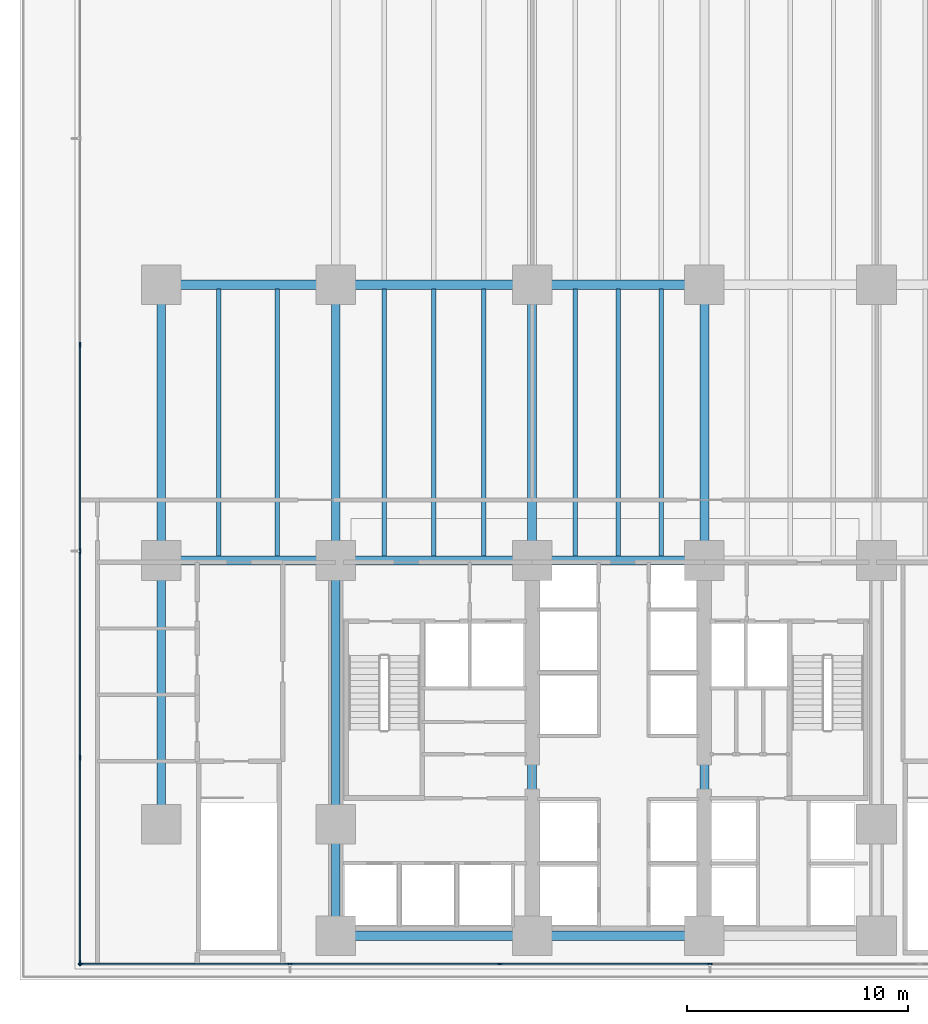
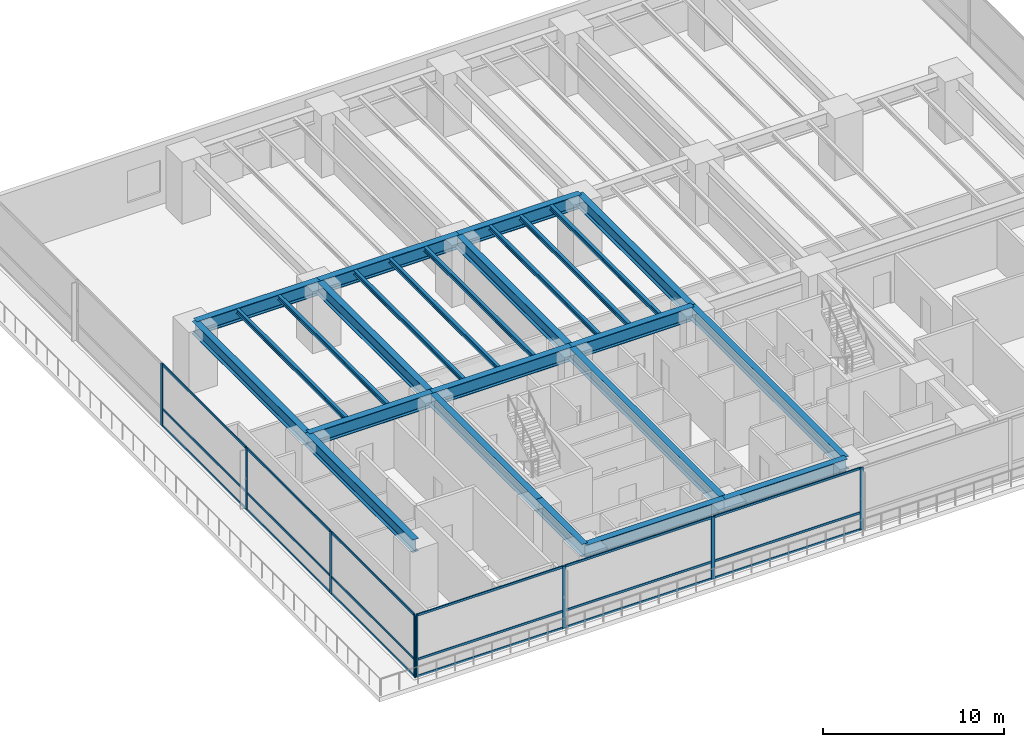
# One storey, part 2 of 21: 26 members, 25 beams, 2 elements without a shape of their own.
"""IFC4 building model written with IfcOpenShell, lengths in metres."""

from ifc_helpers import new_model, si_unit, direction, frame, origin, origin_2d, place, context, subcontext, project, spatial, rectangle, i_section, extrude, material, layer, layer_set, material_profile, profile_set, type_object, element, aggregate, save


model = new_model("IFC4")

# Units and contexts
model_context = context("Model", 3, precision=1e-05, world=origin(), true_north=direction((0.0, 1.0)))
body_context = subcontext(model_context, "Body", "Model", "MODEL_VIEW")
ifc_project = project(units=[si_unit("LENGTHUNIT", "METRE"), si_unit("AREAUNIT", "SQUARE_METRE"), si_unit("VOLUMEUNIT", "CUBIC_METRE"), si_unit("PLANEANGLEUNIT", "RADIAN"), si_unit("MASSUNIT", "GRAM", prefix="KILO")], contexts=[model_context])

# Site, building, storey
site_placement = place(None, origin())
site = spatial("IfcSite", under=ifc_project, at=site_placement, CompositionType="ELEMENT")
building_placement = place(site_placement, origin())
building = spatial("IfcBuilding", under=site, at=building_placement, Name="Qalmaran Belvedere Hotel", CompositionType="ELEMENT")
storey_placement = place(building_placement, frame((0.0, 0.0, 23.800048828125)))
storey = spatial("IfcBuildingStorey", under=building, at=storey_placement, Name="L05", CompositionType="ELEMENT", Elevation=23.800048828125)

# Beams
ifc_material_1 = material(Name="Steel S355JR", Category="steel")
ifc_material_profile_1 = material_profile(ifc_material_1, i_section(OverallWidth=0.202880859375, OverallDepth=0.302978515625, WebThickness=0.007568359375, FlangeThickness=0.01318359375, FilletRadius=0.012939453125, at=origin_2d()), Name="W310X60")
ifc_profile_set_1 = profile_set([ifc_material_profile_1], Name="Steel S355JR")
beam_type_1 = type_object("IfcBeamType", Name="BM-JST-W310X60", PredefinedType="JOIST", material=ifc_profile_set_1)
for number, where, z_axis, x_axis, name in (
    (1, (15.0, 20.7080078125, 4.04833984375), (0.0, 1.0, 0.0), (-1.0, 0.0, 0.0), "L05 Podium South-Ballroom Joist 041"),
    (2, (17.64990234375, 20.7080078125, 4.04833984375), (0.0, 1.0, 0.0), (-1.0, 0.0, 0.0), "L05 Podium South-Ballroom Joist 042"),
    (3, (22.5, 20.7080078125, 4.04833984375), (0.0, 1.0, 0.0), (-1.0, 0.0, 0.0), "L05 Podium South-Ballroom Joist 043"),
    (4, (24.75, 20.7080078125, 4.04833984375), (0.0, 1.0, 0.0), (-1.0, 0.0, 0.0), "L05 Podium South-Ballroom Joist 045"),
    (5, (27.0, 20.7080078125, 4.04833984375), (0.0, 1.0, 0.0), (-1.0, 0.0, 0.0), "L05 Podium South-Ballroom Joist 047"),
    (6, (31.14990234375, 20.7080078125, 4.04833984375), (0.0, 1.0, 0.0), (-1.0, 0.0, 0.0), "L05 Podium South-Ballroom Joist 049"),
    (7, (33.10009765625, 20.7080078125, 4.04833984375), (0.0, 1.0, 0.0), (-1.0, 0.0, 0.0), "L05 Podium South-Ballroom Joist 051"),
    (8, (35.050048828125, 20.7080078125, 4.04833984375), (0.0, 1.0, 0.0), (-1.0, 0.0, 0.0), "L05 Podium South-Ballroom Joist 053"),
):
    element("IfcBeam", number, at=place(storey_placement, frame(where, z_axis=z_axis, x_axis=x_axis)), inside=storey, type_object=beam_type_1, Name=name, PredefinedType="JOIST", context=body_context, shape_type="SweptSolid", body=[
        extrude(i_section(OverallWidth=0.202880859375, OverallDepth=0.302978515625, WebThickness=0.007568359375, FlangeThickness=0.01318359375, FilletRadius=0.012939453125, at=origin_2d()), origin(), (0.0, 0.0, 1.0), 12.083984375),
    ])
ifc_material_profile_2 = material_profile(ifc_material_1, i_section(OverallWidth=0.419921875, OverallDepth=0.9208984375, WebThickness=0.021240234375, FlangeThickness=0.03662109375, FilletRadius=0.02392578125, at=origin_2d()), Name="W920X387")
ifc_profile_set_2 = profile_set([ifc_material_profile_2], Name="Steel S355JR")
beam_type_2 = type_object("IfcBeamType", Name="BM-PG1-W920X387", PredefinedType="USERDEFINED", material=ifc_profile_set_2)
beam_1_placement = place(storey_placement, frame((20.300048828125, 3.5, 3.739501953125), z_axis=(1.0, 0.0, 0.0), x_axis=(0.0, 1.0, 0.0)))
element("IfcBeam", 9, at=beam_1_placement, inside=storey, type_object=beam_type_2, Name="L05 Podium Primary Girder GX01", ObjectType="GIRDER", PredefinedType="USERDEFINED", context=body_context, shape_type="SweptSolid", body=[
    extrude(i_section(OverallWidth=0.419921875, OverallDepth=0.9208984375, WebThickness=0.021240234375, FlangeThickness=0.03662109375, FilletRadius=0.02392578125, at=origin_2d()), origin(), (0.0, 0.0, 1.0), 8.89990234375),
])
beam_2_placement = place(storey_placement, frame((29.199951171875, 3.5, 3.739501953125), z_axis=(1.0, 0.0, 0.0), x_axis=(0.0, 1.0, 0.0)))
element("IfcBeam", 10, at=beam_2_placement, inside=storey, type_object=beam_type_2, Name="L05 Podium Primary Girder GX02", ObjectType="GIRDER", PredefinedType="USERDEFINED", context=body_context, shape_type="SweptSolid", body=[
    extrude(i_section(OverallWidth=0.419921875, OverallDepth=0.9208984375, WebThickness=0.021240234375, FlangeThickness=0.03662109375, FilletRadius=0.02392578125, at=origin_2d()), origin(), (0.0, 0.0, 1.0), 7.800048828125),
])
beam_3_placement = place(storey_placement, frame((12.39990234375, 20.5, 3.739501953125), z_axis=(1.0, 0.0, 0.0), x_axis=(0.0, 1.0, 0.0)))
element("IfcBeam", 11, at=beam_3_placement, inside=storey, type_object=beam_type_2, Name="L05 Podium Primary Girder GX07", ObjectType="GIRDER", PredefinedType="USERDEFINED", context=body_context, shape_type="SweptSolid", body=[
    extrude(i_section(OverallWidth=0.419921875, OverallDepth=0.9208984375, WebThickness=0.021240234375, FlangeThickness=0.03662109375, FilletRadius=0.02392578125, at=origin_2d()), origin(), (0.0, 0.0, 1.0), 7.900146484375),
])
beam_4_placement = place(storey_placement, frame((20.300048828125, 20.5, 3.739501953125), z_axis=(1.0, 0.0, 0.0), x_axis=(0.0, 1.0, 0.0)))
element("IfcBeam", 12, at=beam_4_placement, inside=storey, type_object=beam_type_2, Name="L05 Podium Primary Girder GX08", ObjectType="GIRDER", PredefinedType="USERDEFINED", context=body_context, shape_type="SweptSolid", body=[
    extrude(i_section(OverallWidth=0.419921875, OverallDepth=0.9208984375, WebThickness=0.021240234375, FlangeThickness=0.03662109375, FilletRadius=0.02392578125, at=origin_2d()), origin(), (0.0, 0.0, 1.0), 8.89990234375),
])
beam_5_placement = place(storey_placement, frame((29.199951171875, 20.5, 3.739501953125), z_axis=(1.0, 0.0, 0.0), x_axis=(0.0, 1.0, 0.0)))
element("IfcBeam", 13, at=beam_5_placement, inside=storey, type_object=beam_type_2, Name="L05 Podium Primary Girder GX09", ObjectType="GIRDER", PredefinedType="USERDEFINED", context=body_context, shape_type="SweptSolid", body=[
    extrude(i_section(OverallWidth=0.419921875, OverallDepth=0.9208984375, WebThickness=0.021240234375, FlangeThickness=0.03662109375, FilletRadius=0.02392578125, at=origin_2d()), origin(), (0.0, 0.0, 1.0), 7.800048828125),
])
beam_6_placement = place(storey_placement, frame((12.39990234375, 33.0, 3.739501953125), z_axis=(1.0, 0.0, 0.0), x_axis=(0.0, 1.0, 0.0)))
element("IfcBeam", 14, at=beam_6_placement, inside=storey, type_object=beam_type_2, Name="L05 Podium Primary Girder GX12", ObjectType="GIRDER", PredefinedType="USERDEFINED", context=body_context, shape_type="SweptSolid", body=[
    extrude(i_section(OverallWidth=0.419921875, OverallDepth=0.9208984375, WebThickness=0.021240234375, FlangeThickness=0.03662109375, FilletRadius=0.02392578125, at=origin_2d()), origin(), (0.0, 0.0, 1.0), 7.900146484375),
])
beam_7_placement = place(storey_placement, frame((20.300048828125, 33.0, 3.739501953125), z_axis=(1.0, 0.0, 0.0), x_axis=(0.0, 1.0, 0.0)))
element("IfcBeam", 15, at=beam_7_placement, inside=storey, type_object=beam_type_2, Name="L05 Podium Primary Girder GX13", ObjectType="GIRDER", PredefinedType="USERDEFINED", context=body_context, shape_type="SweptSolid", body=[
    extrude(i_section(OverallWidth=0.419921875, OverallDepth=0.9208984375, WebThickness=0.021240234375, FlangeThickness=0.03662109375, FilletRadius=0.02392578125, at=origin_2d()), origin(), (0.0, 0.0, 1.0), 8.89990234375),
])
beam_8_placement = place(storey_placement, frame((29.199951171875, 33.0, 3.739501953125), z_axis=(1.0, 0.0, 0.0), x_axis=(0.0, 1.0, 0.0)))
element("IfcBeam", 16, at=beam_8_placement, inside=storey, type_object=beam_type_2, Name="L05 Podium Primary Girder GX14", ObjectType="GIRDER", PredefinedType="USERDEFINED", context=body_context, shape_type="SweptSolid", body=[
    extrude(i_section(OverallWidth=0.419921875, OverallDepth=0.9208984375, WebThickness=0.021240234375, FlangeThickness=0.03662109375, FilletRadius=0.02392578125, at=origin_2d()), origin(), (0.0, 0.0, 1.0), 7.800048828125),
])
ifc_material_profile_3 = material_profile(ifc_material_1, i_section(OverallWidth=0.39990234375, OverallDepth=0.85498046875, WebThickness=0.018310546875, FlangeThickness=0.029296875, FilletRadius=0.02392578125, at=origin_2d()), Name="W840X299")
ifc_profile_set_3 = profile_set([ifc_material_profile_3], Name="Steel S355JR")
beam_type_3 = type_object("IfcBeamType", Name="BM-PG3-W840X299", PredefinedType="USERDEFINED", material=ifc_profile_set_3)
beam_9_placement = place(storey_placement, frame((12.39990234375, 8.550048828125, 3.7724609375), z_axis=(0.0, 1.0, 0.0), x_axis=(-1.0, 0.0, 0.0)))
element("IfcBeam", 17, at=beam_9_placement, inside=storey, type_object=beam_type_3, Name="L05 Podium Transverse Girder GY22", ObjectType="GIRDER", PredefinedType="USERDEFINED", context=body_context, shape_type="SweptSolid", body=[
    extrude(i_section(OverallWidth=0.39990234375, OverallDepth=0.85498046875, WebThickness=0.018310546875, FlangeThickness=0.029296875, FilletRadius=0.02392578125, at=origin_2d()), origin(), (0.0, 0.0, 1.0), 11.949951171875),
])
beam_10_placement = place(storey_placement, frame((12.39990234375, 20.5, 3.7724609375), z_axis=(0.0, 1.0, 0.0), x_axis=(-1.0, 0.0, 0.0)))
element("IfcBeam", 18, at=beam_10_placement, inside=storey, type_object=beam_type_3, Name="L05 Podium Transverse Girder GY23", ObjectType="GIRDER", PredefinedType="USERDEFINED", context=body_context, shape_type="SweptSolid", body=[
    extrude(i_section(OverallWidth=0.39990234375, OverallDepth=0.85498046875, WebThickness=0.018310546875, FlangeThickness=0.029296875, FilletRadius=0.02392578125, at=origin_2d()), origin(), (0.0, 0.0, 1.0), 12.5),
])
beam_11_placement = place(storey_placement, frame((20.300048828125, 3.5, 3.7724609375), z_axis=(0.0, 1.0, 0.0), x_axis=(-1.0, 0.0, 0.0)))
element("IfcBeam", 19, at=beam_11_placement, inside=storey, type_object=beam_type_3, Name="L05 Podium Transverse Girder GY24", ObjectType="GIRDER", PredefinedType="USERDEFINED", context=body_context, shape_type="SweptSolid", body=[
    extrude(i_section(OverallWidth=0.39990234375, OverallDepth=0.85498046875, WebThickness=0.018310546875, FlangeThickness=0.029296875, FilletRadius=0.02392578125, at=origin_2d()), origin(), (0.0, 0.0, 1.0), 5.050048828125),
])
beam_12_placement = place(storey_placement, frame((20.300048828125, 8.550048828125, 3.7724609375), z_axis=(0.0, 1.0, 0.0), x_axis=(-1.0, 0.0, 0.0)))
element("IfcBeam", 20, at=beam_12_placement, inside=storey, type_object=beam_type_3, Name="L05 Podium Transverse Girder GY25", ObjectType="GIRDER", PredefinedType="USERDEFINED", context=body_context, shape_type="SweptSolid", body=[
    extrude(i_section(OverallWidth=0.39990234375, OverallDepth=0.85498046875, WebThickness=0.018310546875, FlangeThickness=0.029296875, FilletRadius=0.02392578125, at=origin_2d()), origin(), (0.0, 0.0, 1.0), 11.949951171875),
])
beam_13_placement = place(storey_placement, frame((20.300048828125, 20.5, 3.7724609375), z_axis=(0.0, 1.0, 0.0), x_axis=(-1.0, 0.0, 0.0)))
element("IfcBeam", 21, at=beam_13_placement, inside=storey, type_object=beam_type_3, Name="L05 Podium Transverse Girder GY26", ObjectType="GIRDER", PredefinedType="USERDEFINED", context=body_context, shape_type="SweptSolid", body=[
    extrude(i_section(OverallWidth=0.39990234375, OverallDepth=0.85498046875, WebThickness=0.018310546875, FlangeThickness=0.029296875, FilletRadius=0.02392578125, at=origin_2d()), origin(), (0.0, 0.0, 1.0), 12.5),
])
beam_14_placement = place(storey_placement, frame((29.199951171875, 3.5, 3.7724609375), z_axis=(0.0, 1.0, 0.0), x_axis=(-1.0, 0.0, 0.0)))
element("IfcBeam", 22, at=beam_14_placement, inside=storey, type_object=beam_type_3, Name="L05 Podium Transverse Girder GY28", ObjectType="GIRDER", PredefinedType="USERDEFINED", context=body_context, shape_type="SweptSolid", body=[
    extrude(i_section(OverallWidth=0.39990234375, OverallDepth=0.85498046875, WebThickness=0.018310546875, FlangeThickness=0.029296875, FilletRadius=0.02392578125, at=origin_2d()), origin(), (0.0, 0.0, 1.0), 17.0),
])
beam_15_placement = place(storey_placement, frame((29.199951171875, 20.5, 3.7724609375), z_axis=(0.0, 1.0, 0.0), x_axis=(-1.0, 0.0, 0.0)))
element("IfcBeam", 23, at=beam_15_placement, inside=storey, type_object=beam_type_3, Name="L05 Podium Transverse Girder GY29", ObjectType="GIRDER", PredefinedType="USERDEFINED", context=body_context, shape_type="SweptSolid", body=[
    extrude(i_section(OverallWidth=0.39990234375, OverallDepth=0.85498046875, WebThickness=0.018310546875, FlangeThickness=0.029296875, FilletRadius=0.02392578125, at=origin_2d()), origin(), (0.0, 0.0, 1.0), 12.5),
])
beam_16_placement = place(storey_placement, frame((37.0, 3.5, 3.7724609375), z_axis=(0.0, 1.0, 0.0), x_axis=(-1.0, 0.0, 0.0)))
element("IfcBeam", 24, at=beam_16_placement, inside=storey, type_object=beam_type_3, Name="L05 Podium Transverse Girder GY31", ObjectType="GIRDER", PredefinedType="USERDEFINED", context=body_context, shape_type="SweptSolid", body=[
    extrude(i_section(OverallWidth=0.39990234375, OverallDepth=0.85498046875, WebThickness=0.018310546875, FlangeThickness=0.029296875, FilletRadius=0.02392578125, at=origin_2d()), origin(), (0.0, 0.0, 1.0), 17.0),
])
beam_17_placement = place(storey_placement, frame((37.0, 20.5, 3.7724609375), z_axis=(0.0, 1.0, 0.0), x_axis=(-1.0, 0.0, 0.0)))
element("IfcBeam", 25, at=beam_17_placement, inside=storey, type_object=beam_type_3, Name="L05 Podium Transverse Girder GY32", ObjectType="GIRDER", PredefinedType="USERDEFINED", context=body_context, shape_type="SweptSolid", body=[
    extrude(i_section(OverallWidth=0.39990234375, OverallDepth=0.85498046875, WebThickness=0.018310546875, FlangeThickness=0.029296875, FilletRadius=0.02392578125, at=origin_2d()), origin(), (0.0, 0.0, 1.0), 12.5),
])

# Curtain wall, members
ifc_material_2 = material(Name="Anodised Bronze Aluminium", Category="aluminium")
ifc_layer = layer(ifc_material_2, 0.219970703125, Name="Anodised Bronze Aluminium")
ifc_layer_set = layer_set([ifc_layer], Name="Anodised Bronze Aluminium")
curtain_wall_type = type_object("IfcCurtainWallType", Name="CW1-PODIUM-BRONZE", PredefinedType="NOTDEFINED", material=ifc_layer_set)
curtain_wall_1_placement = place(storey_placement, origin())
curtain_wall_1 = element("IfcCurtainWall", 26, at=curtain_wall_1_placement, inside=storey, type_object=curtain_wall_type, Name="L05 Curtain Wall CW1", PredefinedType="NOTDEFINED")
ifc_material_profile_4 = material_profile(ifc_material_2, rectangle(XDim=0.074951171875, YDim=0.219970703125, at=origin_2d()), Name="CWM75X220")
ifc_profile_set_4 = profile_set([ifc_material_profile_4], Name="Anodised Bronze Aluminium")
member_type_1 = type_object("IfcMemberType", Name="CWM-75X220", PredefinedType="MULLION", material=ifc_profile_set_4)
member_1_placement = place(storey_placement, frame((8.757568359375, 2.219970703125, 0.0), z_axis=(0.0, 0.0, 1.0), x_axis=(0.0, 1.0, 0.0)))
member_1 = element("IfcMember", 27, at=member_1_placement, type_object=member_type_1, Name="CW1 mullion 1", PredefinedType="MULLION", context=body_context, shape_type="SweptSolid", body=[
    extrude(rectangle(XDim=0.074951171875, YDim=0.219970703125, at=origin_2d()), origin(), (0.0, 0.0, 1.0), 4.199951171875),
])
member_2_placement = place(storey_placement, frame((18.22998046875, 2.219970703125, 0.0), z_axis=(0.0, 0.0, 1.0), x_axis=(0.0, 1.0, 0.0)))
member_2 = element("IfcMember", 28, at=member_2_placement, type_object=member_type_1, Name="CW1 mullion 2", PredefinedType="MULLION", context=body_context, shape_type="SweptSolid", body=[
    extrude(rectangle(XDim=0.074951171875, YDim=0.219970703125, at=origin_2d()), origin(), (0.0, 0.0, 1.0), 4.199951171875),
])
member_3_placement = place(storey_placement, frame((27.739990234375, 2.219970703125, 0.0), z_axis=(0.0, 0.0, 1.0), x_axis=(0.0, 1.0, 0.0)))
member_3 = element("IfcMember", 29, at=member_3_placement, type_object=member_type_1, Name="CW1 mullion 3", PredefinedType="MULLION", context=body_context, shape_type="SweptSolid", body=[
    extrude(rectangle(XDim=0.074951171875, YDim=0.219970703125, at=origin_2d()), origin(), (0.0, 0.0, 1.0), 4.199951171875),
])
member_4_placement = place(storey_placement, frame((37.25, 2.219970703125, 0.0), z_axis=(0.0, 0.0, 1.0), x_axis=(0.0, 1.0, 0.0)))
member_4 = element("IfcMember", 30, at=member_4_placement, type_object=member_type_1, Name="CW1 mullion 4", PredefinedType="MULLION", context=body_context, shape_type="SweptSolid", body=[
    extrude(rectangle(XDim=0.074951171875, YDim=0.219970703125, at=origin_2d()), origin(), (0.0, 0.0, 1.0), 4.199951171875),
])

curtain_wall_2_placement = place(storey_placement, origin())
curtain_wall_2 = element("IfcCurtainWall", 31, at=curtain_wall_2_placement, inside=storey, type_object=curtain_wall_type, Name="L05 Curtain Wall CW1", PredefinedType="NOTDEFINED")
member_5_placement = place(storey_placement, frame((8.719970703125, 30.27587890625, 0.0), z_axis=(0.0, 0.0, 1.0), x_axis=(1.0, 0.0, 0.0)))
member_5 = element("IfcMember", 32, at=member_5_placement, type_object=member_type_1, Name="CW1 mullion 3", PredefinedType="MULLION", context=body_context, shape_type="SweptSolid", body=[
    extrude(rectangle(XDim=0.074951171875, YDim=0.219970703125, at=origin_2d()), origin(), (0.0, 0.0, 1.0), 4.199951171875),
])
member_6_placement = place(storey_placement, frame((8.719970703125, 20.924072265625, 0.0), z_axis=(0.0, 0.0, 1.0), x_axis=(1.0, 0.0, 0.0)))
member_6 = element("IfcMember", 33, at=member_6_placement, type_object=member_type_1, Name="CW1 mullion 4", PredefinedType="MULLION", context=body_context, shape_type="SweptSolid", body=[
    extrude(rectangle(XDim=0.074951171875, YDim=0.219970703125, at=origin_2d()), origin(), (0.0, 0.0, 1.0), 4.199951171875),
])
member_7_placement = place(storey_placement, frame((8.719970703125, 11.572021484375, 0.0), z_axis=(0.0, 0.0, 1.0), x_axis=(1.0, 0.0, 0.0)))
member_7 = element("IfcMember", 34, at=member_7_placement, type_object=member_type_1, Name="CW1 mullion 5", PredefinedType="MULLION", context=body_context, shape_type="SweptSolid", body=[
    extrude(rectangle(XDim=0.074951171875, YDim=0.219970703125, at=origin_2d()), origin(), (0.0, 0.0, 1.0), 4.199951171875),
])
member_8_placement = place(storey_placement, frame((8.719970703125, 2.257568359375, 0.0), z_axis=(0.0, 0.0, 1.0), x_axis=(1.0, 0.0, 0.0)))
member_8 = element("IfcMember", 35, at=member_8_placement, type_object=member_type_1, Name="CW1 mullion 6", PredefinedType="MULLION", context=body_context, shape_type="SweptSolid", body=[
    extrude(rectangle(XDim=0.074951171875, YDim=0.219970703125, at=origin_2d()), origin(), (0.0, 0.0, 1.0), 4.199951171875),
])

# Member
ifc_material_profile_5 = material_profile(ifc_material_2, rectangle(XDim=0.070068359375, YDim=0.14990234375, at=origin_2d()), Name="CWT70X150")
ifc_profile_set_5 = profile_set([ifc_material_profile_5], Name="Anodised Bronze Aluminium")
member_type_2 = type_object("IfcMemberType", Name="CWT-70X150", PredefinedType="USERDEFINED", material=ifc_profile_set_5)
member_9_placement = place(storey_placement, frame((8.794921875, 2.219970703125, 0.034912109375), z_axis=(1.0, 0.0, 0.0), x_axis=(0.0, 1.0, 0.0)))
member_9 = element("IfcMember", 36, at=member_9_placement, type_object=member_type_2, Name="CW1 transom 1.1", ObjectType="TRANSOM", PredefinedType="USERDEFINED", context=body_context, shape_type="SweptSolid", body=[
    extrude(rectangle(XDim=0.070068359375, YDim=0.14990234375, at=origin_2d()), origin(), (0.0, 0.0, 1.0), 9.3974609375),
])

member_10_placement = place(storey_placement, frame((8.794921875, 2.219970703125, 1.176025390625), z_axis=(1.0, 0.0, 0.0), x_axis=(0.0, 1.0, 0.0)))
member_10 = element("IfcMember", 37, at=member_10_placement, type_object=member_type_2, Name="CW1 transom 1.2", ObjectType="TRANSOM", PredefinedType="USERDEFINED", context=body_context, shape_type="SweptSolid", body=[
    extrude(rectangle(XDim=0.070068359375, YDim=0.14990234375, at=origin_2d()), origin(), (0.0, 0.0, 1.0), 9.3974609375),
])

member_11_placement = place(storey_placement, frame((8.794921875, 2.219970703125, 4.1650390625), z_axis=(1.0, 0.0, 0.0), x_axis=(0.0, 1.0, 0.0)))
member_11 = element("IfcMember", 38, at=member_11_placement, type_object=member_type_2, Name="CW1 transom 1.3", ObjectType="TRANSOM", PredefinedType="USERDEFINED", context=body_context, shape_type="SweptSolid", body=[
    extrude(rectangle(XDim=0.070068359375, YDim=0.14990234375, at=origin_2d()), origin(), (0.0, 0.0, 1.0), 9.3974609375),
])

member_12_placement = place(storey_placement, frame((18.267578125, 2.219970703125, 0.034912109375), z_axis=(1.0, 0.0, 0.0), x_axis=(0.0, 1.0, 0.0)))
member_12 = element("IfcMember", 39, at=member_12_placement, type_object=member_type_2, Name="CW1 transom 2.1", ObjectType="TRANSOM", PredefinedType="USERDEFINED", context=body_context, shape_type="SweptSolid", body=[
    extrude(rectangle(XDim=0.070068359375, YDim=0.14990234375, at=origin_2d()), origin(), (0.0, 0.0, 1.0), 9.434814453125),
])

member_13_placement = place(storey_placement, frame((18.267578125, 2.219970703125, 1.176025390625), z_axis=(1.0, 0.0, 0.0), x_axis=(0.0, 1.0, 0.0)))
member_13 = element("IfcMember", 40, at=member_13_placement, type_object=member_type_2, Name="CW1 transom 2.2", ObjectType="TRANSOM", PredefinedType="USERDEFINED", context=body_context, shape_type="SweptSolid", body=[
    extrude(rectangle(XDim=0.070068359375, YDim=0.14990234375, at=origin_2d()), origin(), (0.0, 0.0, 1.0), 9.434814453125),
])

member_14_placement = place(storey_placement, frame((18.267578125, 2.219970703125, 4.1650390625), z_axis=(1.0, 0.0, 0.0), x_axis=(0.0, 1.0, 0.0)))
member_14 = element("IfcMember", 41, at=member_14_placement, type_object=member_type_2, Name="CW1 transom 2.3", ObjectType="TRANSOM", PredefinedType="USERDEFINED", context=body_context, shape_type="SweptSolid", body=[
    extrude(rectangle(XDim=0.070068359375, YDim=0.14990234375, at=origin_2d()), origin(), (0.0, 0.0, 1.0), 9.434814453125),
])

member_15_placement = place(storey_placement, frame((27.777587890625, 2.219970703125, 0.034912109375), z_axis=(1.0, 0.0, 0.0), x_axis=(0.0, 1.0, 0.0)))
member_15 = element("IfcMember", 42, at=member_15_placement, type_object=member_type_2, Name="CW1 transom 3.1", ObjectType="TRANSOM", PredefinedType="USERDEFINED", context=body_context, shape_type="SweptSolid", body=[
    extrude(rectangle(XDim=0.070068359375, YDim=0.14990234375, at=origin_2d()), origin(), (0.0, 0.0, 1.0), 9.434814453125),
])

member_16_placement = place(storey_placement, frame((27.777587890625, 2.219970703125, 1.176025390625), z_axis=(1.0, 0.0, 0.0), x_axis=(0.0, 1.0, 0.0)))
member_16 = element("IfcMember", 43, at=member_16_placement, type_object=member_type_2, Name="CW1 transom 3.2", ObjectType="TRANSOM", PredefinedType="USERDEFINED", context=body_context, shape_type="SweptSolid", body=[
    extrude(rectangle(XDim=0.070068359375, YDim=0.14990234375, at=origin_2d()), origin(), (0.0, 0.0, 1.0), 9.434814453125),
])

member_17_placement = place(storey_placement, frame((27.777587890625, 2.219970703125, 4.1650390625), z_axis=(1.0, 0.0, 0.0), x_axis=(0.0, 1.0, 0.0)))
member_17 = element("IfcMember", 44, at=member_17_placement, type_object=member_type_2, Name="CW1 transom 3.3", ObjectType="TRANSOM", PredefinedType="USERDEFINED", context=body_context, shape_type="SweptSolid", body=[
    extrude(rectangle(XDim=0.070068359375, YDim=0.14990234375, at=origin_2d()), origin(), (0.0, 0.0, 1.0), 9.434814453125),
])

aggregate(curtain_wall_1, [member_1, member_2, member_3, member_4, member_9, member_10, member_11, member_12, member_13, member_14, member_15, member_16, member_17])

member_18_placement = place(storey_placement, frame((8.719970703125, 30.238525390625, 0.034912109375), z_axis=(0.0, -1.0, 0.0), x_axis=(1.0, 0.0, 0.0)))
member_18 = element("IfcMember", 45, at=member_18_placement, type_object=member_type_2, Name="CW1 transom 3.1", ObjectType="TRANSOM", PredefinedType="USERDEFINED", context=body_context, shape_type="SweptSolid", body=[
    extrude(rectangle(XDim=0.070068359375, YDim=0.14990234375, at=origin_2d()), origin(), (0.0, 0.0, 1.0), 9.277099609375),
])

member_19_placement = place(storey_placement, frame((8.719970703125, 30.238525390625, 1.176025390625), z_axis=(0.0, -1.0, 0.0), x_axis=(1.0, 0.0, 0.0)))
member_19 = element("IfcMember", 46, at=member_19_placement, type_object=member_type_2, Name="CW1 transom 3.2", ObjectType="TRANSOM", PredefinedType="USERDEFINED", context=body_context, shape_type="SweptSolid", body=[
    extrude(rectangle(XDim=0.070068359375, YDim=0.14990234375, at=origin_2d()), origin(), (0.0, 0.0, 1.0), 9.277099609375),
])

member_20_placement = place(storey_placement, frame((8.719970703125, 30.238525390625, 4.1650390625), z_axis=(0.0, -1.0, 0.0), x_axis=(1.0, 0.0, 0.0)))
member_20 = element("IfcMember", 47, at=member_20_placement, type_object=member_type_2, Name="CW1 transom 3.3", ObjectType="TRANSOM", PredefinedType="USERDEFINED", context=body_context, shape_type="SweptSolid", body=[
    extrude(rectangle(XDim=0.070068359375, YDim=0.14990234375, at=origin_2d()), origin(), (0.0, 0.0, 1.0), 9.277099609375),
])

member_21_placement = place(storey_placement, frame((8.719970703125, 20.886474609375, 0.034912109375), z_axis=(0.0, -1.0, 0.0), x_axis=(1.0, 0.0, 0.0)))
member_21 = element("IfcMember", 48, at=member_21_placement, type_object=member_type_2, Name="CW1 transom 4.1", ObjectType="TRANSOM", PredefinedType="USERDEFINED", context=body_context, shape_type="SweptSolid", body=[
    extrude(rectangle(XDim=0.070068359375, YDim=0.14990234375, at=origin_2d()), origin(), (0.0, 0.0, 1.0), 9.27685546875),
])

member_22_placement = place(storey_placement, frame((8.719970703125, 20.886474609375, 1.176025390625), z_axis=(0.0, -1.0, 0.0), x_axis=(1.0, 0.0, 0.0)))
member_22 = element("IfcMember", 49, at=member_22_placement, type_object=member_type_2, Name="CW1 transom 4.2", ObjectType="TRANSOM", PredefinedType="USERDEFINED", context=body_context, shape_type="SweptSolid", body=[
    extrude(rectangle(XDim=0.070068359375, YDim=0.14990234375, at=origin_2d()), origin(), (0.0, 0.0, 1.0), 9.27685546875),
])

member_23_placement = place(storey_placement, frame((8.719970703125, 20.886474609375, 4.1650390625), z_axis=(0.0, -1.0, 0.0), x_axis=(1.0, 0.0, 0.0)))
member_23 = element("IfcMember", 50, at=member_23_placement, type_object=member_type_2, Name="CW1 transom 4.3", ObjectType="TRANSOM", PredefinedType="USERDEFINED", context=body_context, shape_type="SweptSolid", body=[
    extrude(rectangle(XDim=0.070068359375, YDim=0.14990234375, at=origin_2d()), origin(), (0.0, 0.0, 1.0), 9.27685546875),
])

member_24_placement = place(storey_placement, frame((8.719970703125, 11.534423828125, 0.034912109375), z_axis=(0.0, -1.0, 0.0), x_axis=(1.0, 0.0, 0.0)))
member_24 = element("IfcMember", 51, at=member_24_placement, type_object=member_type_2, Name="CW1 transom 5.1", ObjectType="TRANSOM", PredefinedType="USERDEFINED", context=body_context, shape_type="SweptSolid", body=[
    extrude(rectangle(XDim=0.070068359375, YDim=0.14990234375, at=origin_2d()), origin(), (0.0, 0.0, 1.0), 9.239501953125),
])

member_25_placement = place(storey_placement, frame((8.719970703125, 11.534423828125, 1.176025390625), z_axis=(0.0, -1.0, 0.0), x_axis=(1.0, 0.0, 0.0)))
member_25 = element("IfcMember", 52, at=member_25_placement, type_object=member_type_2, Name="CW1 transom 5.2", ObjectType="TRANSOM", PredefinedType="USERDEFINED", context=body_context, shape_type="SweptSolid", body=[
    extrude(rectangle(XDim=0.070068359375, YDim=0.14990234375, at=origin_2d()), origin(), (0.0, 0.0, 1.0), 9.239501953125),
])

member_26_placement = place(storey_placement, frame((8.719970703125, 11.534423828125, 4.1650390625), z_axis=(0.0, -1.0, 0.0), x_axis=(1.0, 0.0, 0.0)))
member_26 = element("IfcMember", 53, at=member_26_placement, type_object=member_type_2, Name="CW1 transom 5.3", ObjectType="TRANSOM", PredefinedType="USERDEFINED", context=body_context, shape_type="SweptSolid", body=[
    extrude(rectangle(XDim=0.070068359375, YDim=0.14990234375, at=origin_2d()), origin(), (0.0, 0.0, 1.0), 9.239501953125),
])

aggregate(curtain_wall_2, [member_5, member_6, member_7, member_8, member_18, member_19, member_20, member_21, member_22, member_23, member_24, member_25, member_26])

save(model, "model.ifc")
